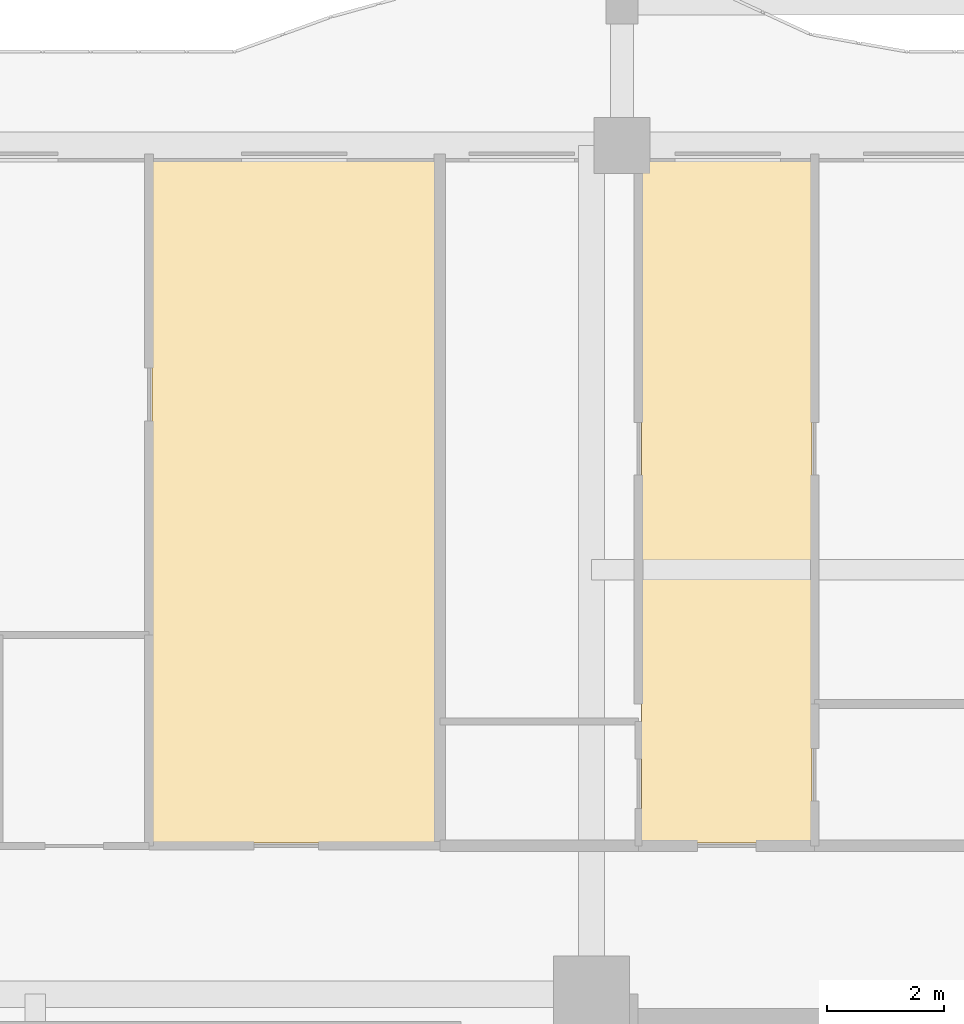
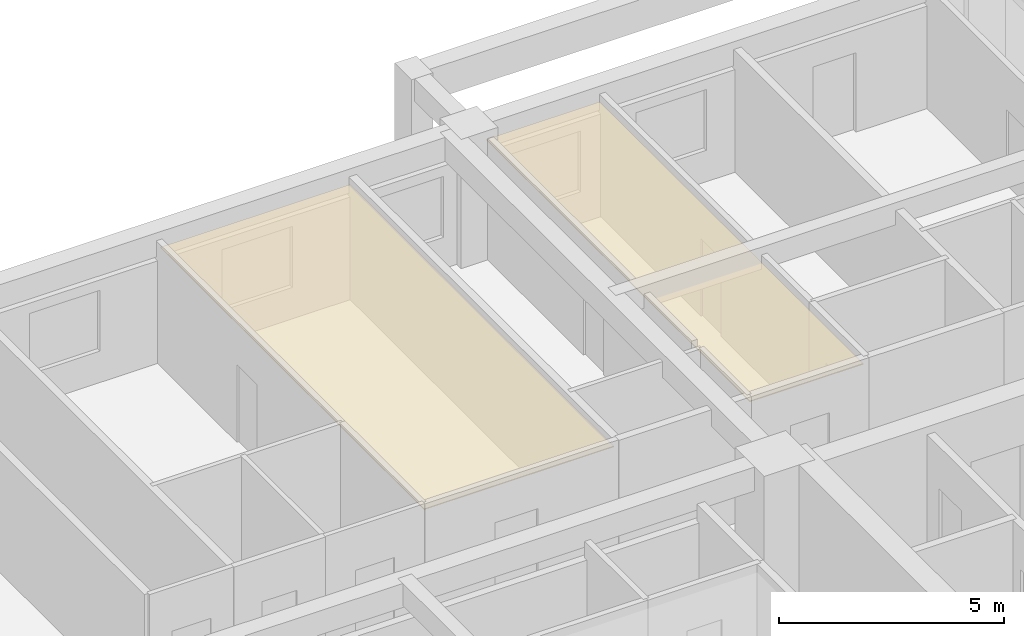
# One storey, part 16 of 17: 2 coverings.
"""IFC4 building model written with IfcOpenShell, lengths in metres."""

from ifc_helpers import new_model, si_unit, direction, frame, origin, place, context, subcontext, project, spatial, polyline, outline, extrude, material, layer, layer_set, type_object, element, save


model = new_model("IFC4")

# Units and contexts
model_context = context("Model", 3, precision=1e-05, world=origin(), true_north=direction((0.0, 1.0)))
body_context = subcontext(model_context, "Body", "Model", "MODEL_VIEW")
ifc_project = project(units=[si_unit("LENGTHUNIT", "METRE"), si_unit("AREAUNIT", "SQUARE_METRE"), si_unit("VOLUMEUNIT", "CUBIC_METRE"), si_unit("PLANEANGLEUNIT", "RADIAN"), si_unit("MASSUNIT", "GRAM", prefix="KILO")], contexts=[model_context])

# Site, building, storey
site_placement = place(None, origin())
site = spatial("IfcSite", under=ifc_project, at=site_placement, CompositionType="ELEMENT")
building_placement = place(site_placement, origin())
building = spatial("IfcBuilding", under=site, at=building_placement, Name="Saelheon Loggia Tower", CompositionType="ELEMENT")
storey_placement = place(building_placement, frame((0.0, 0.0, 74.35009765625)))
storey = spatial("IfcBuildingStorey", under=building, at=storey_placement, Name="L23", CompositionType="ELEMENT", Elevation=74.35009765625)

# Coverings
ifc_material = material(Name="Mineral-Fibre Acoustic Ceiling Board", Category="gypsum")
ifc_layer = layer(ifc_material, 0.02490234375)
ifc_layer_set = layer_set([ifc_layer], Name="Mineral-Fibre Acoustic Ceiling Board")
covering_type = type_object("IfcCoveringType", Name="Cov_Ceiling_Acoustic", PredefinedType="CEILING", material=ifc_layer_set)
covering_1_placement = place(storey_placement, frame((0.0, 0.0, 3.034912109375)))
element("IfcCovering", 1, at=covering_1_placement, inside=storey, type_object=covering_type, Name="L23 Acoustic Suspended Ceiling", PredefinedType="CEILING", context=body_context, shape_type="SweptSolid", body=[
    extrude(outline(polyline([(23.47998046875, 39.10009765625), (28.341552734375, 39.10009765625), (28.341552734375, 50.800048828125), (23.47998046875, 50.800048828125), (23.47998046875, 39.10009765625)])), origin(), (0.0, 0.0, 1.0), 0.02490234375),
])
covering_2_placement = place(storey_placement, frame((0.0, 0.0, 3.034912109375)))
element("IfcCovering", 2, at=covering_2_placement, inside=storey, type_object=covering_type, Name="L23 Acoustic Suspended Ceiling", PredefinedType="CEILING", context=body_context, shape_type="SweptSolid", body=[
    extrude(outline(polyline([(31.830078125, 39.10009765625), (34.73828125, 39.10009765625), (34.73828125, 50.800048828125), (31.830078125, 50.800048828125), (31.830078125, 39.10009765625)])), origin(), (0.0, 0.0, 1.0), 0.02490234375),
])

save(model, "model.ifc")
